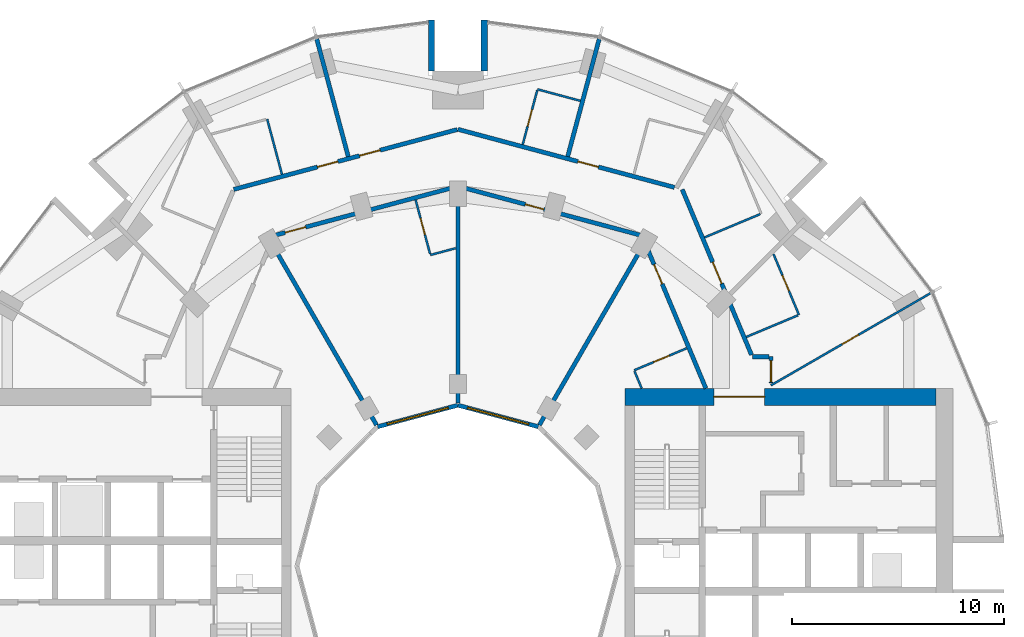
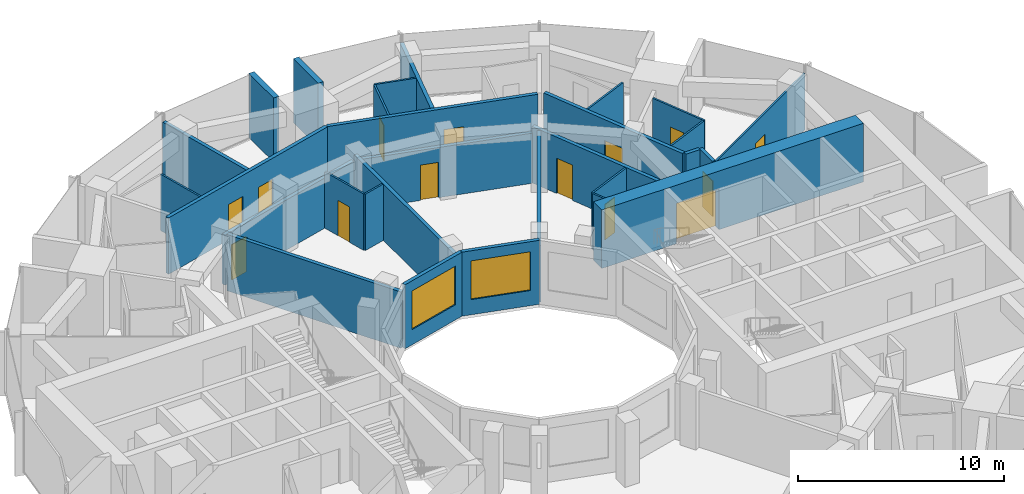
# One storey, part 12 of 15: 29 walls, 14 doors, 2 windows, 16 openings.
"""IFC4 building model written with IfcOpenShell, lengths in metres."""

import ifcopenshell
import ifcopenshell.guid

model = None  # the IFC model being written
_history = None  # IfcOwnerHistory: only IFC2X3 demands one
_inside = {}  # id of a spatial element -> (the spatial element, [elements in it])
_under = {}  # id of a project, library or spatial element -> (it, [spatial elements below it])
_declared = {}  # id of a project -> (the project, [libraries it declares])
_typed = {}  # id of a type object -> (the type object, [elements of that type])
_made_of = {}  # id of a material, layer set ... -> (it, [elements and type objects made of it])


def new_model(schema):
    """Start an empty IFC model of exactly this schema.

    Asked for "IFC4X3", IfcOpenShell would pick the latest addendum, in which some entities
    have other attributes; the version numbers below select the first issue.
    IFC2X3 requires an IfcOwnerHistory on every rooted entity: one is made here for all.
    """
    global model, _history
    if schema == "IFC4X3":
        model = ifcopenshell.file(schema_version=(4, 3, 0, 0))
    else:
        model = ifcopenshell.file(schema=schema)
    _inside.clear()
    _under.clear()
    _declared.clear()
    _typed.clear()
    _made_of.clear()
    _history = None
    if model.schema == "IFC2X3":
        org = make("IfcOrganization", Name="unknown")
        user = make(
            "IfcPersonAndOrganization",
            ThePerson=make("IfcPerson", FamilyName="unknown"),
            TheOrganization=org,
        )
        app = make(
            "IfcApplication",
            ApplicationDeveloper=org,
            Version="unknown",
            ApplicationFullName="unknown",
            ApplicationIdentifier="unknown",
        )
        _history = make(
            "IfcOwnerHistory",
            OwningUser=user,
            OwningApplication=app,
            ChangeAction="ADDED",
            CreationDate=0,
        )
    return model


def make(cls, **values):
    """One entity of the class cls with the attributes given. An attribute that is None is left unset."""
    return model.create_entity(
        cls, **{name: value for name, value in values.items() if value is not None}
    )


def rooted(cls, **values):
    """An entity with a GlobalId (a new one), such as an element, a storey or a relation."""
    return make(cls, GlobalId=ifcopenshell.guid.new(), OwnerHistory=_history, **values)


def si_unit(unit_type, name, prefix=None):
    """IfcSIUnit, for example si_unit("LENGTHUNIT", "METRE", prefix="MILLI")."""
    return make("IfcSIUnit", UnitType=unit_type, Prefix=prefix, Name=name)


def assignment(units):
    """IfcUnitAssignment: the units of a project."""
    return None if units is None else make("IfcUnitAssignment", Units=units)


def point(xyz):
    """IfcCartesianPoint."""
    return None if xyz is None else make("IfcCartesianPoint", Coordinates=xyz)


def direction(xyz):
    """IfcDirection."""
    return None if xyz is None else make("IfcDirection", DirectionRatios=xyz)


def frame(location, z_axis=None, x_axis=None):
    """IfcAxis2Placement3D, a coordinate frame: its origin and axes. An axis left out is left unset."""
    return make(
        "IfcAxis2Placement3D",
        Location=point(location),
        Axis=direction(z_axis),
        RefDirection=direction(x_axis),
    )


def frame_2d(location, x_axis=None):
    """IfcAxis2Placement2D, a coordinate frame in the plane: its origin and x axis."""
    return make(
        "IfcAxis2Placement2D", Location=point(location), RefDirection=direction(x_axis)
    )


def origin():
    """The frame at (0, 0, 0) with its axes left unset."""
    return frame((0.0, 0.0, 0.0))


def place(relative_to, where):
    """IfcLocalPlacement: puts the frame where relative to a parent placement (None: the world)."""
    return make(
        "IfcLocalPlacement", PlacementRelTo=relative_to, RelativePlacement=where
    )


def context(
    kind, dimensions, precision=None, world=None, true_north=None, identifier=None
):
    """IfcGeometricRepresentationContext, for example the 3D "Model" context."""
    return make(
        "IfcGeometricRepresentationContext",
        ContextIdentifier=identifier,
        ContextType=kind,
        CoordinateSpaceDimension=dimensions,
        Precision=precision,
        WorldCoordinateSystem=world,
        TrueNorth=true_north,
    )


def subcontext(parent, identifier, kind, view, scale=None):
    """IfcGeometricRepresentationSubContext, for example "Body" below "Model"."""
    return make(
        "IfcGeometricRepresentationSubContext",
        ContextIdentifier=identifier,
        ContextType=kind,
        ParentContext=parent,
        TargetScale=scale,
        TargetView=view,
    )


def project(units=None, contexts=None):
    """IfcProject with its units and contexts."""
    return rooted(
        "IfcProject",
        Name="project",
        RepresentationContexts=contexts,
        UnitsInContext=assignment(units),
    )


def spatial(cls, under=None, at=None, **own):
    """A site, building, storey or space (cls), placed at a placement, below another one or the project."""
    s = rooted(cls, ObjectPlacement=at, **own)
    if under is not None:
        _under.setdefault(under.id(), (under, []))[1].append(s)
    return s


def profile(cls, at=None, kind="AREA", **sizes):
    """A parametric profile (cls). Its sizes go by their IFC names, for example OverallWidth=200.0."""
    return make(cls, ProfileType=kind, Position=at, **sizes)


def rectangle(**sizes):
    """IfcRectangleProfileDef."""
    return profile("IfcRectangleProfileDef", **sizes)


def extrude(swept, where, along, depth):
    """IfcExtrudedAreaSolid: the profile swept, set in the frame where, extruded along a direction by depth."""
    return make(
        "IfcExtrudedAreaSolid",
        SweptArea=swept,
        Position=where,
        ExtrudedDirection=direction(along),
        Depth=depth,
    )


def shape(context_of_items, identifier, shape_type, items):
    """IfcShapeRepresentation: the items that make up one representation, for example the "Body"."""
    return make(
        "IfcShapeRepresentation",
        ContextOfItems=context_of_items,
        RepresentationIdentifier=identifier,
        RepresentationType=shape_type,
        Items=items,
    )


def material(Name=None, Category=None):
    """IfcMaterial."""
    return make("IfcMaterial", Name=Name, Category=Category)


def layer(
    of_material, thickness, ventilated=None, Name=None, Category=None, Priority=None
):
    """IfcMaterialLayer: one layer of a wall or slab, of a material (None: an air gap)."""
    return make(
        "IfcMaterialLayer",
        Material=of_material,
        LayerThickness=thickness,
        IsVentilated=ventilated,
        Name=Name,
        Category=Category,
        Priority=Priority,
    )


def layer_set(layers, Name=None):
    """IfcMaterialLayerSet."""
    return make("IfcMaterialLayerSet", MaterialLayers=layers, LayerSetName=Name)


def made_of(thing, what):
    """Note that an element or type object is made of a material, layer set ...; save() writes the relation."""
    if what is not None:
        _made_of.setdefault(what.id(), (what, []))[1].append(thing)
    return thing


def type_object(cls, material=None, **own):
    """A type object (cls), such as IfcWallType, which elements share."""
    return made_of(rooted(cls, **own), material)


def element(
    cls,
    number,
    at=None,
    inside=None,
    cuts=None,
    type_object=None,
    material=None,
    context=None,
    identifier="Body",
    shape_type=None,
    held_by="IfcProductDefinitionShape",
    body=None,
    shapes=None,
    **own,
):
    """One element of the class cls, such as IfcWall. Its Tag is "e" and its number.

    at: its placement. inside: the storey or other place that contains it. cuts: it is an
    opening in that element (IfcRelVoidsElement). A single representation is given by context,
    identifier, shape_type and body (its items); several are given by shapes. held_by: the class
    of the entity that holds the representations. save() writes the other relations.
    """
    e = rooted(cls, Tag="e%d" % number, ObjectPlacement=at, **own)
    if body is not None:
        shapes = [shape(context, identifier, shape_type, body)]
    if shapes is not None:
        e.Representation = make(held_by, Representations=shapes)
    if inside is not None:
        _inside.setdefault(inside.id(), (inside, []))[1].append(e)
    if cuts is not None:
        rooted(
            "IfcRelVoidsElement", RelatingBuildingElement=cuts, RelatedOpeningElement=e
        )
    if type_object is not None:
        _typed.setdefault(type_object.id(), (type_object, []))[1].append(e)
    return made_of(e, material)


def fill(opening, filler):
    """IfcRelFillsElement: the door or window that sits in an opening."""
    return rooted(
        "IfcRelFillsElement",
        RelatingOpeningElement=opening,
        RelatedBuildingElement=filler,
    )


def aggregate(whole, parts):
    """IfcRelAggregates: a whole, such as a stair, and the parts it consists of."""
    return rooted("IfcRelAggregates", RelatingObject=whole, RelatedObjects=parts)


def save(model, path):
    """Write the relations noted so far, then the file.

    IfcRelAggregates (storeys below a building ...), IfcRelContainedInSpatialStructure (elements
    in a storey), IfcRelDefinesByType, IfcRelAssociatesMaterial and IfcRelDeclares: one each for
    every whole, place, type object, material and project.
    """
    for whole, parts in _under.values():
        aggregate(whole, parts)
    for where, things in _inside.values():
        rooted(
            "IfcRelContainedInSpatialStructure",
            RelatedElements=things,
            RelatingStructure=where,
        )
    for kind, things in _typed.values():
        rooted("IfcRelDefinesByType", RelatedObjects=things, RelatingType=kind)
    for what, things in _made_of.values():
        rooted("IfcRelAssociatesMaterial", RelatedObjects=things, RelatingMaterial=what)
    for by, libraries in _declared.values():
        rooted("IfcRelDeclares", RelatingContext=by, RelatedDefinitions=libraries)
    model.write(path)


model = new_model("IFC4")

# Units and contexts
model_context = context("Model", 3, precision=1e-05, world=origin(), true_north=direction((0.0, 1.0)))
body_context = subcontext(model_context, "Body", "Model", "MODEL_VIEW")
ifc_project = project(units=[si_unit("LENGTHUNIT", "METRE"), si_unit("AREAUNIT", "SQUARE_METRE"), si_unit("VOLUMEUNIT", "CUBIC_METRE"), si_unit("PLANEANGLEUNIT", "RADIAN"), si_unit("MASSUNIT", "GRAM", prefix="KILO")], contexts=[model_context])

# Site, building, storey
site_placement = place(None, origin())
site = spatial("IfcSite", under=ifc_project, at=site_placement, CompositionType="ELEMENT")
building_placement = place(site_placement, origin())
building = spatial("IfcBuilding", under=site, at=building_placement, Name="Torre Brocal", CompositionType="ELEMENT")
storey_placement = place(building_placement, frame((0.0, 0.0, 90.0)))
storey = spatial("IfcBuildingStorey", under=building, at=storey_placement, Name="L20", CompositionType="ELEMENT", Elevation=90.0)

# Wall, opening, door
ifc_material_1 = material(Name="Concrete C80", Category="concrete")
ifc_layer_1 = layer(ifc_material_1, 0.800048828125)
ifc_layer_set_1 = layer_set([ifc_layer_1], Name="Concrete C80")
wall_type_1 = type_object("IfcWallType", Name="CORE WALL 800 C80", PredefinedType="SHEAR", material=ifc_layer_set_1)
wall_1_placement = place(storey_placement, frame((87.89990234375, 83.0, 0.0), z_axis=(0.0, 0.0, 1.0), x_axis=(1.0, 0.0, 0.0)))
wall_1 = element("IfcWall", 1, at=wall_1_placement, inside=storey, type_object=wall_type_1, Name="Wall CW800-80", PredefinedType="SHEAR", context=body_context, shape_type="SweptSolid", body=[
    extrude(rectangle(XDim=14.7001953125, YDim=0.800048828125, at=frame_2d((7.35009765625, 0.0))), origin(), (0.0, 0.0, 1.0), 3.47998046875),
])
opening_1_placement = place(wall_1_placement, frame((4.199951171875, 0.0, 0.0)))
opening_1 = element("IfcOpeningElement", 2, at=opening_1_placement, cuts=wall_1, Name="Opening E-D24", PredefinedType="OPENING", context=body_context, shape_type="SweptSolid", body=[
    extrude(rectangle(XDim=2.39990234375, YDim=2.39990234375, at=frame_2d((1.199951171875, 1.199951171875))), frame((0.0, 0.409912109375, 0.0), z_axis=(0.0, -1.0, 0.0), x_axis=(1.0, 0.0, 0.0)), (0.0, 0.0, 1.0), 0.820068359375),
])
ifc_material_2 = material(Name="Steel A653", Category="steel")
door_type_1 = type_object("IfcDoorType", Name="DOUBLE FIRE DOOR FD90 2400X2400", OperationType="DOUBLE_DOOR_SINGLE_SWING", PredefinedType="DOOR", material=ifc_material_2)
door_1_placement = place(opening_1_placement, frame((2.39990234375, 0.0, 0.0), z_axis=(0.0, 0.0, 1.0), x_axis=(-1.0, 0.0, 0.0)))
door_1 = element("IfcDoor", 3, at=door_1_placement, inside=storey, type_object=door_type_1, Name="Door E-D24", OperationType="DOUBLE_DOOR_SINGLE_SWING", OverallHeight=2.39990234375, OverallWidth=2.39990234375, PredefinedType="DOOR", context=body_context, shape_type="SweptSolid", body=[
    extrude(rectangle(XDim=2.39990234375, YDim=2.39990234375, at=frame_2d((1.199951171875, 1.199951171875))), frame((0.0, 0.02490234375, 0.0), z_axis=(0.0, -1.0, 0.0), x_axis=(1.0, 0.0, 0.0)), (0.0, 0.0, 1.0), 0.050048828125),
])
fill(opening_1, door_1)

# Walls
ifc_material_3 = material(Name="Concrete C80", Category="concrete")
ifc_layer_2 = layer(ifc_material_3, 0.300048828125)
ifc_layer_set_2 = layer_set([ifc_layer_2], Name="Concrete C80")
wall_type_2 = type_object("IfcWallType", Name="NOTCH RETURN WALL 300 C80", PredefinedType="NOTDEFINED", material=ifc_layer_set_2)
for number, where, z_axis, x_axis, name in (
    (4, (81.25, 98.39990234375, 0.0), (0.0, 0.0, 1.0), (0.0, 1.0, 0.0), "NOTCH RETURN WALL"),
    (5, (78.75, 98.39990234375, 0.0), (0.0, 0.0, 1.0), (0.0, 1.0, 0.0), "NOTCH RETURN WALL"),
):
    element("IfcWall", number, at=place(storey_placement, frame(where, z_axis=z_axis, x_axis=x_axis)), inside=storey, type_object=wall_type_2, Name=name, PredefinedType="NOTDEFINED", context=body_context, shape_type="SweptSolid", body=[
        extrude(rectangle(XDim=2.415771484375, YDim=0.300048828125, at=frame_2d((1.2080078125, 0.0))), origin(), (0.0, 0.0, 1.0), 3.800048828125),
    ])
ifc_material_4 = material(Name="Gypsum board", Category="Gypsum")
ifc_layer_3 = layer(ifc_material_4, 0.10009765625)
ifc_layer_set_3 = layer_set([ifc_layer_3], Name="Gypsum board")
wall_type_3 = type_object("IfcWallType", Name="PARTITION 100", PredefinedType="PARTITIONING", material=ifc_layer_set_3)
wall_2_placement = place(storey_placement, frame((70.98095703125, 96.1279296875, 0.0), z_axis=(0.0, 0.0, 1.0), x_axis=(0.25867580527, -0.965964195904, 0.0)))
element("IfcWall", 6, at=wall_2_placement, inside=storey, type_object=wall_type_3, Name="BATHROOM WALL", PredefinedType="PARTITIONING", context=body_context, shape_type="SweptSolid", body=[
    extrude(rectangle(XDim=2.69921875, YDim=0.10009765625, at=frame_2d((1.349609375, 0.0))), origin(), (0.0, 0.0, 1.0), 3.35009765625),
])

# Wall, opening, door
wall_3_placement = place(storey_placement, frame((77.997802734375, 92.314208984375, 0.0), z_axis=(0.0, 0.0, 1.0), x_axis=(0.258608674509, -0.965982170368, 0.0)))
wall_3 = element("IfcWall", 7, at=wall_3_placement, inside=storey, type_object=wall_type_3, Name="BATHROOM WALL", PredefinedType="PARTITIONING", context=body_context, shape_type="SweptSolid", body=[
    extrude(rectangle(XDim=2.64990234375, YDim=0.10009765625, at=frame_2d((1.324951171875, 0.0))), origin(), (0.0, 0.0, 1.0), 3.35009765625),
])
opening_2_placement = place(wall_3_placement, frame((0.89990234375, 0.0, 0.0)))
opening_2 = element("IfcOpeningElement", 8, at=opening_2_placement, cuts=wall_3, Name="Opening H05-D21", PredefinedType="OPENING", context=body_context, shape_type="SweptSolid", body=[
    extrude(rectangle(XDim=0.800048828125, YDim=2.10009765625, at=frame_2d((0.39990234375, 1.050048828125))), frame((0.0, 0.06005859375, 0.0), z_axis=(0.0, -1.0, 0.0), x_axis=(1.0, 0.0, 0.0)), (0.0, 0.0, 1.0), 0.1201171875),
])
ifc_material_5 = material(Name="Timber", Category="wood")
door_type_2 = type_object("IfcDoorType", Name="BATHROOM DOOR 800X2100", OperationType="SINGLE_SWING_LEFT", PredefinedType="DOOR", material=ifc_material_5)
door_2_placement = place(opening_2_placement, origin())
door_2 = element("IfcDoor", 9, at=door_2_placement, inside=storey, type_object=door_type_2, Name="H05-D21", OperationType="SINGLE_SWING_LEFT", OverallHeight=2.10009765625, OverallWidth=0.800048828125, PredefinedType="DOOR", context=body_context, shape_type="SweptSolid", body=[
    extrude(rectangle(XDim=0.800048828125, YDim=2.10009765625, at=frame_2d((0.39990234375, 1.050048828125))), frame((0.0, 0.02490234375, 0.0), z_axis=(0.0, -1.0, 0.0), x_axis=(1.0, 0.0, 0.0)), (0.0, 0.0, 1.0), 0.050048828125),
])
fill(opening_2, door_2)

# Wall
wall_4_placement = place(storey_placement, frame((78.696044921875, 89.7060546875, 0.0), z_axis=(0.0, 0.0, 1.0), x_axis=(0.966002513606, 0.258532674351, 0.0)))
element("IfcWall", 10, at=wall_4_placement, inside=storey, type_object=wall_type_3, Name="BATHROOM WALL", PredefinedType="PARTITIONING", context=body_context, shape_type="SweptSolid", body=[
    extrude(rectangle(XDim=1.239990234375, YDim=0.10009765625, at=frame_2d((0.6201171875, 0.0))), origin(), (0.0, 0.0, 1.0), 3.35009765625),
])

# Wall, opening, door
wall_5_placement = place(storey_placement, frame((83.06201171875, 94.92919921875, 0.0), z_axis=(0.0, 0.0, 1.0), x_axis=(0.258889588814, 0.965906921398, 0.0)))
wall_5 = element("IfcWall", 11, at=wall_5_placement, inside=storey, type_object=wall_type_3, Name="BATHROOM WALL", PredefinedType="PARTITIONING", context=body_context, shape_type="SweptSolid", body=[
    extrude(rectangle(XDim=2.64990234375, YDim=0.10009765625, at=frame_2d((1.324951171875, 0.0))), origin(), (0.0, 0.0, 1.0), 3.35009765625),
])
opening_3_placement = place(wall_5_placement, frame((0.899658203125, 0.0, 0.0)))
opening_3 = element("IfcOpeningElement", 12, at=opening_3_placement, cuts=wall_5, Name="Opening H05-D09", PredefinedType="OPENING", context=body_context, shape_type="SweptSolid", body=[
    extrude(rectangle(XDim=0.800048828125, YDim=2.10009765625, at=frame_2d((0.39990234375, 1.050048828125))), frame((0.0, 0.06005859375, 0.0), z_axis=(0.0, -1.0, 0.0), x_axis=(1.0, 0.0, 0.0)), (0.0, 0.0, 1.0), 0.1201171875),
])
door_3_placement = place(opening_3_placement, frame((0.800048828125, 0.0, 0.0), z_axis=(0.0, 0.0, 1.0), x_axis=(-1.0, 0.0, 0.0)))
door_3 = element("IfcDoor", 13, at=door_3_placement, inside=storey, type_object=door_type_2, Name="H05-D09", OperationType="SINGLE_SWING_RIGHT", OverallHeight=2.10009765625, OverallWidth=0.800048828125, PredefinedType="DOOR", context=body_context, shape_type="SweptSolid", body=[
    extrude(rectangle(XDim=0.800048828125, YDim=2.10009765625, at=frame_2d((0.39990234375, 1.050048828125))), frame((0.0, 0.02490234375, 0.0), z_axis=(0.0, -1.0, 0.0), x_axis=(1.0, 0.0, 0.0)), (0.0, 0.0, 1.0), 0.050048828125),
])
fill(opening_3, door_3)

# Walls
wall_6_placement = place(storey_placement, frame((83.76123046875, 97.53759765625, 0.0), z_axis=(0.0, 0.0, 1.0), x_axis=(0.965871218513, -0.259022758166, 0.0)))
element("IfcWall", 14, at=wall_6_placement, inside=storey, type_object=wall_type_3, Name="BATHROOM WALL", PredefinedType="PARTITIONING", context=body_context, shape_type="SweptSolid", body=[
    extrude(rectangle(XDim=2.10009765625, YDim=0.10009765625, at=frame_2d((1.050048828125, 0.0))), origin(), (0.0, 0.0, 1.0), 3.35009765625),
])
wall_7_placement = place(storey_placement, frame((88.348388671875, 84.208984375, 0.0), z_axis=(0.0, 0.0, 1.0), x_axis=(0.386077497504, -0.922466349479, 0.0)))
element("IfcWall", 15, at=wall_7_placement, inside=storey, type_object=wall_type_3, Name="BATHROOM WALL", PredefinedType="PARTITIONING", context=body_context, shape_type="SweptSolid", body=[
    extrude(rectangle(XDim=0.877197265625, YDim=0.10009765625, at=frame_2d((0.4384765625, 0.0))), origin(), (0.0, 0.0, 1.0), 3.35009765625),
])

# Wall, opening, door
wall_8_placement = place(storey_placement, frame((88.3291015625, 84.2548828125, 0.0), z_axis=(0.0, 0.0, 1.0), x_axis=(0.922320663728, 0.386425404522, 0.0)))
wall_8 = element("IfcWall", 16, at=wall_8_placement, inside=storey, type_object=wall_type_3, Name="BATHROOM WALL", PredefinedType="PARTITIONING", context=body_context, shape_type="SweptSolid", body=[
    extrude(rectangle(XDim=2.690185546875, YDim=0.10009765625, at=frame_2d((1.34521484375, 0.0))), origin(), (0.0, 0.0, 1.0), 3.35009765625),
])
opening_4_placement = place(wall_8_placement, frame((1.000244140625, 0.0, 0.0)))
opening_4 = element("IfcOpeningElement", 17, at=opening_4_placement, cuts=wall_8, Name="Opening H05-D18", PredefinedType="OPENING", context=body_context, shape_type="SweptSolid", body=[
    extrude(rectangle(XDim=0.800048828125, YDim=2.10009765625, at=frame_2d((0.39990234375, 1.050048828125))), frame((0.0, 0.06005859375, 0.0), z_axis=(0.0, -1.0, 0.0), x_axis=(1.0, 0.0, 0.0)), (0.0, 0.0, 1.0), 0.1201171875),
])
door_4_placement = place(opening_4_placement, frame((0.800048828125, 0.0, 0.0), z_axis=(0.0, 0.0, 1.0), x_axis=(-1.0, 0.0, 0.0)))
door_4 = element("IfcDoor", 18, at=door_4_placement, inside=storey, type_object=door_type_2, Name="H05-D18", OperationType="SINGLE_SWING_LEFT", OverallHeight=2.10009765625, OverallWidth=0.800048828125, PredefinedType="DOOR", context=body_context, shape_type="SweptSolid", body=[
    extrude(rectangle(XDim=0.800048828125, YDim=2.10009765625, at=frame_2d((0.39990234375, 1.050048828125))), frame((0.0, 0.02490234375, 0.0), z_axis=(0.0, -1.0, 0.0), x_axis=(1.0, 0.0, 0.0)), (0.0, 0.0, 1.0), 0.050048828125),
])
fill(opening_4, door_4)

# Walls
wall_9_placement = place(storey_placement, frame((91.6611328125, 90.53759765625, 0.0), z_axis=(0.0, 0.0, 1.0), x_axis=(0.922352973625, 0.386348278169, 0.0)))
element("IfcWall", 19, at=wall_9_placement, inside=storey, type_object=wall_type_3, Name="BATHROOM WALL", PredefinedType="PARTITIONING", context=body_context, shape_type="SweptSolid", body=[
    extrude(rectangle(XDim=2.849853515625, YDim=0.10009765625, at=frame_2d((1.4248046875, 0.0))), origin(), (0.0, 0.0, 1.0), 3.35009765625),
])
wall_10_placement = place(storey_placement, frame((93.632568359375, 85.830810546875, 0.0), z_axis=(0.0, 0.0, 1.0), x_axis=(0.922344808264, 0.38636777126, 0.0)))
element("IfcWall", 20, at=wall_10_placement, inside=storey, type_object=wall_type_3, Name="BATHROOM WALL", PredefinedType="PARTITIONING", context=body_context, shape_type="SweptSolid", body=[
    extrude(rectangle(XDim=2.650146484375, YDim=0.10009765625, at=frame_2d((1.3251953125, 0.0))), origin(), (0.0, 0.0, 1.0), 3.35009765625),
])

# Wall, opening, door
wall_11_placement = place(storey_placement, frame((94.800048828125, 83.544921875, 0.0), z_axis=(0.0, 0.0, 1.0), x_axis=(0.86602264145, 0.500004784474, 0.0)))
wall_11 = element("IfcWall", 21, at=wall_11_placement, inside=storey, type_object=wall_type_3, Name="ROOM PARTITION", PredefinedType="PARTITIONING", context=body_context, shape_type="SweptSolid", body=[
    extrude(rectangle(XDim=8.7080078125, YDim=0.10009765625, at=frame_2d((4.35400390625, 0.0))), origin(), (0.0, 0.0, 1.0), 3.35009765625),
])
opening_5_placement = place(wall_11_placement, frame((3.87890625, 0.0, 0.0)))
opening_5 = element("IfcOpeningElement", 22, at=opening_5_placement, cuts=wall_11, Name="Opening H05-D03", PredefinedType="OPENING", context=body_context, shape_type="SweptSolid", body=[
    extrude(rectangle(XDim=0.89990234375, YDim=2.10009765625, at=frame_2d((0.449951171875, 1.050048828125))), frame((0.0, 0.06005859375, 0.0), z_axis=(0.0, -1.0, 0.0), x_axis=(1.0, 0.0, 0.0)), (0.0, 0.0, 1.0), 0.1201171875),
])
ifc_material_6 = material(Name="Timber", Category="wood")
door_type_3 = type_object("IfcDoorType", Name="ROOM DOOR 900X2100", OperationType="SINGLE_SWING_LEFT", PredefinedType="DOOR", material=ifc_material_6)
door_5_placement = place(opening_5_placement, frame((0.89990234375, 0.0, 0.0), z_axis=(0.0, 0.0, 1.0), x_axis=(-1.0, 0.0, 0.0)))
door_5 = element("IfcDoor", 23, at=door_5_placement, inside=storey, type_object=door_type_3, Name="H05-D03", OperationType="SINGLE_SWING_RIGHT", OverallHeight=2.10009765625, OverallWidth=0.89990234375, PredefinedType="DOOR", context=body_context, shape_type="SweptSolid", body=[
    extrude(rectangle(XDim=0.89990234375, YDim=2.10009765625, at=frame_2d((0.449951171875, 1.050048828125))), frame((0.0, 0.02490234375, 0.0), z_axis=(0.0, -1.0, 0.0), x_axis=(1.0, 0.0, 0.0)), (0.0, 0.0, 1.0), 0.050048828125),
])
fill(opening_5, door_5)

wall_12_placement = place(storey_placement, frame((94.919189453125, 89.748046875, 0.0), z_axis=(0.0, 0.0, 1.0), x_axis=(0.38635048828, -0.922352047868, 0.0)))
wall_12 = element("IfcWall", 24, at=wall_12_placement, inside=storey, type_object=wall_type_3, Name="BATHROOM WALL", PredefinedType="PARTITIONING", context=body_context, shape_type="SweptSolid", body=[
    extrude(rectangle(XDim=3.115966796875, YDim=0.10009765625, at=frame_2d((1.55810546875, 0.0))), origin(), (0.0, 0.0, 1.0), 3.35009765625),
])
opening_6_placement = place(wall_12_placement, frame((1.093017578125, 0.0, 0.0)))
opening_6 = element("IfcOpeningElement", 25, at=opening_6_placement, cuts=wall_12, Name="Opening H05-D02", PredefinedType="OPENING", context=body_context, shape_type="SweptSolid", body=[
    extrude(rectangle(XDim=0.800048828125, YDim=2.10009765625, at=frame_2d((0.39990234375, 1.050048828125))), frame((0.0, 0.06005859375, 0.0), z_axis=(0.0, -1.0, 0.0), x_axis=(1.0, 0.0, 0.0)), (0.0, 0.0, 1.0), 0.1201171875),
])
door_6_placement = place(opening_6_placement, frame((0.800048828125, 0.0, 0.0), z_axis=(0.0, 0.0, 1.0), x_axis=(-1.0, 0.0, 0.0)))
door_6 = element("IfcDoor", 26, at=door_6_placement, inside=storey, type_object=door_type_2, Name="H05-D02", OperationType="SINGLE_SWING_RIGHT", OverallHeight=2.10009765625, OverallWidth=0.800048828125, PredefinedType="DOOR", context=body_context, shape_type="SweptSolid", body=[
    extrude(rectangle(XDim=0.800048828125, YDim=2.10009765625, at=frame_2d((0.39990234375, 1.050048828125))), frame((0.0, 0.02490234375, 0.0), z_axis=(0.0, -1.0, 0.0), x_axis=(1.0, 0.0, 0.0)), (0.0, 0.0, 1.0), 0.050048828125),
])
fill(opening_6, door_6)

# Wall, openings, doors
ifc_material_7 = material(Name="Gypsum board", Category="Gypsum")
ifc_layer_4 = layer(ifc_material_7, 0.199951171875)
ifc_layer_set_4 = layer_set([ifc_layer_4], Name="Gypsum board")
wall_type_4 = type_object("IfcWallType", Name="PARTITION 200 EI60", PredefinedType="PARTITIONING", material=ifc_layer_set_4)
wall_13_placement = place(storey_placement, frame((69.39697265625, 92.805419921875, 0.0), z_axis=(0.0, 0.0, 1.0), x_axis=(0.96596468683, 0.258673972015, 0.0)))
wall_13 = element("IfcWall", 27, at=wall_13_placement, inside=storey, type_object=wall_type_4, Name="GUESTROOM CORRIDOR WALL", PredefinedType="PARTITIONING", context=body_context, shape_type="SweptSolid", body=[
    extrude(rectangle(XDim=10.93701171875, YDim=0.199951171875, at=frame_2d((5.468505859375, 0.0))), origin(), (0.0, 0.0, 1.0), 3.35009765625),
])
opening_7_placement = place(wall_13_placement, frame((6.163330078125, 0.0, 0.0)))
opening_7 = element("IfcOpeningElement", 28, at=opening_7_placement, cuts=wall_13, Name="Opening H05-D08", PredefinedType="OPENING", context=body_context, shape_type="SweptSolid", body=[
    extrude(rectangle(XDim=1.0, YDim=2.10009765625, at=frame_2d((0.5, 1.050048828125))), frame((0.0, 0.10986328125, 0.0), z_axis=(0.0, -1.0, 0.0), x_axis=(1.0, 0.0, 0.0)), (0.0, 0.0, 1.0), 0.219970703125),
])
opening_8_placement = place(wall_13_placement, frame((4.1025390625, 0.0, 0.0)))
opening_8 = element("IfcOpeningElement", 29, at=opening_8_placement, cuts=wall_13, Name="Opening H05-D10", PredefinedType="OPENING", context=body_context, shape_type="SweptSolid", body=[
    extrude(rectangle(XDim=1.0, YDim=2.10009765625, at=frame_2d((0.5, 1.050048828125))), frame((0.0, 0.10986328125, 0.0), z_axis=(0.0, -1.0, 0.0), x_axis=(1.0, 0.0, 0.0)), (0.0, 0.0, 1.0), 0.219970703125),
])
ifc_material_8 = material(Name="Timber", Category="wood")
door_type_4 = type_object("IfcDoorType", Name="FLAT ENTRY DOOR FD30S 1000X2100", OperationType="SINGLE_SWING_RIGHT", PredefinedType="DOOR", material=ifc_material_8)
door_7_placement = place(opening_7_placement, origin())
door_7 = element("IfcDoor", 30, at=door_7_placement, inside=storey, type_object=door_type_4, Name="H05-D08", OperationType="SINGLE_SWING_LEFT", OverallHeight=2.10009765625, OverallWidth=1.0, PredefinedType="DOOR", context=body_context, shape_type="SweptSolid", body=[
    extrude(rectangle(XDim=1.0, YDim=2.10009765625, at=frame_2d((0.5, 1.050048828125))), frame((0.0, 0.02490234375, 0.0), z_axis=(0.0, -1.0, 0.0), x_axis=(1.0, 0.0, 0.0)), (0.0, 0.0, 1.0), 0.050048828125),
])
fill(opening_7, door_7)
door_8_placement = place(opening_8_placement, origin())
door_8 = element("IfcDoor", 31, at=door_8_placement, inside=storey, type_object=door_type_4, Name="H05-D10", OperationType="SINGLE_SWING_RIGHT", OverallHeight=2.10009765625, OverallWidth=1.0, PredefinedType="DOOR", context=body_context, shape_type="SweptSolid", body=[
    extrude(rectangle(XDim=1.0, YDim=2.10009765625, at=frame_2d((0.5, 1.050048828125))), frame((0.0, 0.02490234375, 0.0), z_axis=(0.0, -1.0, 0.0), x_axis=(1.0, 0.0, 0.0)), (0.0, 0.0, 1.0), 0.050048828125),
])
fill(opening_8, door_8)

# Walls
wall_14_placement = place(storey_placement, frame((71.263671875, 90.135498046875, 0.0), z_axis=(0.0, 0.0, 1.0), x_axis=(0.499791624077, -0.866145676259, 0.0)))
element("IfcWall", 32, at=wall_14_placement, inside=storey, type_object=wall_type_4, Name="PARTY PARTITION", PredefinedType="PARTITIONING", context=body_context, shape_type="SweptSolid", body=[
    extrude(rectangle(XDim=9.777587890625, YDim=0.199951171875, at=frame_2d((4.888671875, 0.0))), origin(), (0.0, 0.0, 1.0), 3.35009765625),
])
wall_15_placement = place(storey_placement, frame((73.324951171875, 99.918701171875, 0.0), z_axis=(0.0, 0.0, 1.0), x_axis=(0.25871346471, -0.965954110286, 0.0)))
element("IfcWall", 33, at=wall_15_placement, inside=storey, type_object=wall_type_4, Name="PARTY PARTITION", PredefinedType="PARTITIONING", context=body_context, shape_type="SweptSolid", body=[
    extrude(rectangle(XDim=5.75439453125, YDim=0.199951171875, at=frame_2d((2.877197265625, 0.0))), origin(), (0.0, 0.0, 1.0), 3.35009765625),
])
wall_16_placement = place(storey_placement, frame((80.0, 82.698974609375, 0.0), z_axis=(0.0, 0.0, 1.0), x_axis=(0.0, 1.0, 0.0)))
element("IfcWall", 34, at=wall_16_placement, inside=storey, type_object=wall_type_4, Name="BATHROOM WALL", PredefinedType="PARTITIONING", context=body_context, shape_type="SweptSolid", body=[
    extrude(rectangle(XDim=10.125, YDim=0.199951171875, at=frame_2d((5.0625, 0.0))), origin(), (0.0, 0.0, 1.0), 3.35009765625),
])

# Wall, opening, door
wall_17_placement = place(storey_placement, frame((80.00048828125, 95.647705078125, 0.0), z_axis=(0.0, 0.0, 1.0), x_axis=(0.965852259202, -0.259093445292, 0.0)))
wall_17 = element("IfcWall", 35, at=wall_17_placement, inside=storey, type_object=wall_type_4, Name="GUESTROOM CORRIDOR WALL", PredefinedType="PARTITIONING", context=body_context, shape_type="SweptSolid", body=[
    extrude(rectangle(XDim=10.596923828125, YDim=0.199951171875, at=frame_2d((5.29833984375, 0.0))), origin(), (0.0, 0.0, 1.0), 3.35009765625),
])
opening_9_placement = place(wall_17_placement, frame((5.87451171875, 0.0, 0.0)))
opening_9 = element("IfcOpeningElement", 36, at=opening_9_placement, cuts=wall_17, Name="Opening H05-D06", PredefinedType="OPENING", context=body_context, shape_type="SweptSolid", body=[
    extrude(rectangle(XDim=1.0, YDim=2.10009765625, at=frame_2d((0.5, 1.050048828125))), frame((0.0, 0.10986328125, 0.0), z_axis=(0.0, -1.0, 0.0), x_axis=(1.0, 0.0, 0.0)), (0.0, 0.0, 1.0), 0.219970703125),
])
door_9_placement = place(opening_9_placement, origin())
door_9 = element("IfcDoor", 37, at=door_9_placement, inside=storey, type_object=door_type_4, Name="H05-D06", OperationType="SINGLE_SWING_LEFT", OverallHeight=2.10009765625, OverallWidth=1.0, PredefinedType="DOOR", context=body_context, shape_type="SweptSolid", body=[
    extrude(rectangle(XDim=1.0, YDim=2.10009765625, at=frame_2d((0.5, 1.050048828125))), frame((0.0, 0.02490234375, 0.0), z_axis=(0.0, -1.0, 0.0), x_axis=(1.0, 0.0, 0.0)), (0.0, 0.0, 1.0), 0.050048828125),
])
fill(opening_9, door_9)

# Walls
wall_18_placement = place(storey_placement, frame((83.849853515625, 81.66650390625, 0.0), z_axis=(0.0, 0.0, 1.0), x_axis=(0.500222212082, 0.865897071562, 0.0)))
element("IfcWall", 38, at=wall_18_placement, inside=storey, type_object=wall_type_4, Name="SERVICE ROOM WALL", PredefinedType="PARTITIONING", context=body_context, shape_type="SweptSolid", body=[
    extrude(rectangle(XDim=9.767578125, YDim=0.199951171875, at=frame_2d((4.8837890625, 0.0))), origin(), (0.0, 0.0, 1.0), 3.35009765625),
])
wall_19_placement = place(storey_placement, frame((85.188232421875, 94.359619140625, 0.0), z_axis=(0.0, 0.0, 1.0), x_axis=(0.258882407816, 0.965908846074, 0.0)))
element("IfcWall", 39, at=wall_19_placement, inside=storey, type_object=wall_type_4, Name="BATHROOM WALL", PredefinedType="PARTITIONING", context=body_context, shape_type="SweptSolid", body=[
    extrude(rectangle(XDim=5.754638671875, YDim=0.199951171875, at=frame_2d((2.87744140625, 0.0))), origin(), (0.0, 0.0, 1.0), 3.35009765625),
])

# Wall, opening, door
wall_20_placement = place(storey_placement, frame((88.69775390625, 90.624267578125, 0.0), z_axis=(0.0, 0.0, 1.0), x_axis=(0.386027055918, -0.922487459047, 0.0)))
wall_20 = element("IfcWall", 40, at=wall_20_placement, inside=storey, type_object=wall_type_4, Name="GUESTROOM CORRIDOR WALL", PredefinedType="PARTITIONING", context=body_context, shape_type="SweptSolid", body=[
    extrude(rectangle(XDim=7.832275390625, YDim=0.199951171875, at=frame_2d((3.916015625, 0.0))), origin(), (0.0, 0.0, 1.0), 3.35009765625),
])
opening_10_placement = place(wall_20_placement, frame((1.481689453125, 0.0, 0.0)))
opening_10 = element("IfcOpeningElement", 41, at=opening_10_placement, cuts=wall_20, Name="Opening H05-D17", PredefinedType="OPENING", context=body_context, shape_type="SweptSolid", body=[
    extrude(rectangle(XDim=1.0, YDim=2.10009765625, at=frame_2d((0.5, 1.050048828125))), frame((0.0, 0.10986328125, 0.0), z_axis=(0.0, -1.0, 0.0), x_axis=(1.0, 0.0, 0.0)), (0.0, 0.0, 1.0), 0.219970703125),
])
door_10_placement = place(opening_10_placement, frame((1.0, 0.0, 0.0), z_axis=(0.0, 0.0, 1.0), x_axis=(-1.0, 0.0, 0.0)))
door_10 = element("IfcDoor", 42, at=door_10_placement, inside=storey, type_object=door_type_4, Name="H05-D17", OperationType="SINGLE_SWING_RIGHT", OverallHeight=2.10009765625, OverallWidth=1.0, PredefinedType="DOOR", context=body_context, shape_type="SweptSolid", body=[
    extrude(rectangle(XDim=1.0, YDim=2.10009765625, at=frame_2d((0.5, 1.050048828125))), frame((0.0, 0.02490234375, 0.0), z_axis=(0.0, -1.0, 0.0), x_axis=(1.0, 0.0, 0.0)), (0.0, 0.0, 1.0), 0.050048828125),
])
fill(opening_10, door_10)

wall_21_placement = place(storey_placement, frame((90.603515625, 92.80517578125, 0.0), z_axis=(0.0, 0.0, 1.0), x_axis=(0.386209298583, -0.922411176042, 0.0)))
wall_21 = element("IfcWall", 43, at=wall_21_placement, inside=storey, type_object=wall_type_4, Name="GUESTROOM CORRIDOR WALL", PredefinedType="PARTITIONING", context=body_context, shape_type="SweptSolid", body=[
    extrude(rectangle(XDim=8.480224609375, YDim=0.199951171875, at=frame_2d((4.240234375, 0.0))), origin(), (0.0, 0.0, 1.0), 3.35009765625),
])
opening_11_placement = place(wall_21_placement, frame((3.722900390625, 0.0, 0.0)))
opening_11 = element("IfcOpeningElement", 44, at=opening_11_placement, cuts=wall_21, Name="Opening H05-D04", PredefinedType="OPENING", context=body_context, shape_type="SweptSolid", body=[
    extrude(rectangle(XDim=1.10009765625, YDim=2.10009765625, at=frame_2d((0.550048828125, 1.050048828125))), frame((0.0, 0.10986328125, 0.0), z_axis=(0.0, -1.0, 0.0), x_axis=(1.0, 0.0, 0.0)), (0.0, 0.0, 1.0), 0.219970703125),
])
ifc_material_9 = material(Name="Timber", Category="wood")
door_type_5 = type_object("IfcDoorType", Name="ACCESSIBLE ENTRY DOOR FD30S 1100X2100", OperationType="SINGLE_SWING_RIGHT", PredefinedType="DOOR", material=ifc_material_9)
door_11_placement = place(opening_11_placement, origin())
door_11 = element("IfcDoor", 45, at=door_11_placement, inside=storey, type_object=door_type_5, Name="H05-D04", OperationType="SINGLE_SWING_RIGHT", OverallHeight=2.10009765625, OverallWidth=1.10009765625, PredefinedType="DOOR", context=body_context, shape_type="SweptSolid", body=[
    extrude(rectangle(XDim=1.10009765625, YDim=2.10009765625, at=frame_2d((0.550048828125, 1.050048828125))), frame((0.0, 0.02490234375, 0.0), z_axis=(0.0, -1.0, 0.0), x_axis=(1.0, 0.0, 0.0)), (0.0, 0.0, 1.0), 0.050048828125),
])
fill(opening_11, door_11)

# Wall
wall_22_placement = place(storey_placement, frame((93.9140625, 84.89990234375, 0.0), z_axis=(0.0, 0.0, 1.0), x_axis=(1.0, 0.0, 0.0)))
element("IfcWall", 46, at=wall_22_placement, inside=storey, type_object=wall_type_4, Name="GUESTROOM CORRIDOR WALL", PredefinedType="PARTITIONING", context=body_context, shape_type="SweptSolid", body=[
    extrude(rectangle(XDim=0.785888671875, YDim=0.199951171875, at=frame_2d((0.39306640625, 0.0))), origin(), (0.0, 0.0, 1.0), 3.35009765625),
])

# Wall, opening, door
wall_23_placement = place(storey_placement, frame((94.800048828125, 83.64990234375, 0.0), z_axis=(0.0, 0.0, 1.0), x_axis=(0.0, 1.0, 0.0)))
wall_23 = element("IfcWall", 47, at=wall_23_placement, inside=storey, type_object=wall_type_4, Name="GUESTROOM CORRIDOR WALL", PredefinedType="PARTITIONING", context=body_context, shape_type="SweptSolid", body=[
    extrude(rectangle(XDim=1.25, YDim=0.199951171875, at=frame_2d((0.625, 0.0))), origin(), (0.0, 0.0, 1.0), 3.35009765625),
])
opening_12_placement = place(wall_23_placement, frame((0.0625, 0.0, 0.0)))
opening_12 = element("IfcOpeningElement", 48, at=opening_12_placement, cuts=wall_23, Name="Opening H05-D01", PredefinedType="OPENING", context=body_context, shape_type="SweptSolid", body=[
    extrude(rectangle(XDim=1.0, YDim=2.10009765625, at=frame_2d((0.5, 1.050048828125))), frame((0.0, 0.10986328125, 0.0), z_axis=(0.0, -1.0, 0.0), x_axis=(1.0, 0.0, 0.0)), (0.0, 0.0, 1.0), 0.219970703125),
])
door_12_placement = place(opening_12_placement, frame((1.0, 0.0, 0.0), z_axis=(0.0, 0.0, 1.0), x_axis=(-1.0, 0.0, 0.0)))
door_12 = element("IfcDoor", 49, at=door_12_placement, inside=storey, type_object=door_type_4, Name="H05-D01", OperationType="SINGLE_SWING_LEFT", OverallHeight=2.10009765625, OverallWidth=1.0, PredefinedType="DOOR", context=body_context, shape_type="SweptSolid", body=[
    extrude(rectangle(XDim=1.0, YDim=2.10009765625, at=frame_2d((0.5, 1.050048828125))), frame((0.0, 0.02490234375, 0.0), z_axis=(0.0, -1.0, 0.0), x_axis=(1.0, 0.0, 0.0)), (0.0, 0.0, 1.0), 0.050048828125),
])
fill(opening_12, door_12)

ifc_material_10 = material(Name="Gypsum board", Category="Gypsum")
ifc_layer_5 = layer(ifc_material_10, 0.199951171875)
ifc_layer_set_5 = layer_set([ifc_layer_5], Name="Gypsum board")
wall_type_5 = type_object("IfcWallType", Name="PARTITION 200 EI60 UNDER BEAM 820", PredefinedType="PARTITIONING", material=ifc_layer_set_5)
wall_24_placement = place(storey_placement, frame((71.302734375, 90.62451171875, 0.0), z_axis=(0.0, 0.0, 1.0), x_axis=(0.965971868307, 0.258647152776, 0.0)))
wall_24 = element("IfcWall", 50, at=wall_24_placement, inside=storey, type_object=wall_type_5, Name="GUESTROOM CORRIDOR WALL", PredefinedType="PARTITIONING", context=body_context, shape_type="SweptSolid", body=[
    extrude(rectangle(XDim=8.873779296875, YDim=0.199951171875, at=frame_2d((4.43701171875, 0.0))), origin(), (0.0, 0.0, 1.0), 2.97998046875),
])
opening_13_placement = place(wall_24_placement, frame((0.550048828125, 0.0, 0.0)))
opening_13 = element("IfcOpeningElement", 51, at=opening_13_placement, cuts=wall_24, Name="Opening H05-D20", PredefinedType="OPENING", context=body_context, shape_type="SweptSolid", body=[
    extrude(rectangle(XDim=1.0, YDim=2.10009765625, at=frame_2d((0.5, 1.050048828125))), frame((0.0, 0.10986328125, 0.0), z_axis=(0.0, -1.0, 0.0), x_axis=(1.0, 0.0, 0.0)), (0.0, 0.0, 1.0), 0.219970703125),
])
door_13_placement = place(opening_13_placement, frame((1.0, 0.0, 0.0), z_axis=(0.0, 0.0, 1.0), x_axis=(-1.0, 0.0, 0.0)))
door_13 = element("IfcDoor", 52, at=door_13_placement, inside=storey, type_object=door_type_4, Name="H05-D20", OperationType="SINGLE_SWING_RIGHT", OverallHeight=2.10009765625, OverallWidth=1.0, PredefinedType="DOOR", context=body_context, shape_type="SweptSolid", body=[
    extrude(rectangle(XDim=1.0, YDim=2.10009765625, at=frame_2d((0.5, 1.050048828125))), frame((0.0, 0.02490234375, 0.0), z_axis=(0.0, -1.0, 0.0), x_axis=(1.0, 0.0, 0.0)), (0.0, 0.0, 1.0), 0.050048828125),
])
fill(opening_13, door_13)

wall_25_placement = place(storey_placement, frame((80.0, 92.9541015625, 0.0), z_axis=(0.0, 0.0, 1.0), x_axis=(0.965932194462, -0.258795277586, 0.0)))
wall_25 = element("IfcWall", 53, at=wall_25_placement, inside=storey, type_object=wall_type_5, Name="CORRIDOR WALL", PredefinedType="PARTITIONING", context=body_context, shape_type="SweptSolid", body=[
    extrude(rectangle(XDim=8.933837890625, YDim=0.199951171875, at=frame_2d((4.466796875, 0.0))), origin(), (0.0, 0.0, 1.0), 2.97998046875),
])
opening_14_placement = place(wall_25_placement, frame((3.302001953125, 0.0, 0.0)))
opening_14 = element("IfcOpeningElement", 54, at=opening_14_placement, cuts=wall_25, Name="Opening H05-D19", PredefinedType="OPENING", context=body_context, shape_type="SweptSolid", body=[
    extrude(rectangle(XDim=0.89990234375, YDim=2.10009765625, at=frame_2d((0.449951171875, 1.050048828125))), frame((0.0, 0.10986328125, 0.0), z_axis=(0.0, -1.0, 0.0), x_axis=(1.0, 0.0, 0.0)), (0.0, 0.0, 1.0), 0.219970703125),
])
door_14_placement = place(opening_14_placement, frame((0.89990234375, 0.0, 0.0), z_axis=(0.0, 0.0, 1.0), x_axis=(-1.0, 0.0, 0.0)))
door_14 = element("IfcDoor", 55, at=door_14_placement, inside=storey, type_object=door_type_3, Name="H05-D19", OperationType="SINGLE_SWING_RIGHT", OverallHeight=2.10009765625, OverallWidth=0.89990234375, PredefinedType="DOOR", context=body_context, shape_type="SweptSolid", body=[
    extrude(rectangle(XDim=0.89990234375, YDim=2.10009765625, at=frame_2d((0.449951171875, 1.050048828125))), frame((0.0, 0.02490234375, 0.0), z_axis=(0.0, -1.0, 0.0), x_axis=(1.0, 0.0, 0.0)), (0.0, 0.0, 1.0), 0.050048828125),
])
fill(opening_14, door_14)

# Wall, opening, window
ifc_material_11 = material(Name="Concrete C40", Category="concrete")
ifc_layer_6 = layer(ifc_material_11, 0.199951171875)
ifc_layer_set_6 = layer_set([ifc_layer_6], Name="Concrete C40")
wall_type_6 = type_object("IfcWallType", Name="WELL FACADE WALL 200", PredefinedType="NOTDEFINED", material=ifc_layer_set_6)
wall_26_placement = place(storey_placement, frame((83.8017578125, 81.5849609375, 0.0), z_axis=(0.0, 0.0, 1.0), x_axis=(-0.965933654434, 0.258789828301, 0.0)))
wall_26 = element("IfcWall", 56, at=wall_26_placement, inside=storey, type_object=wall_type_6, Name="WELL FACADE WALL", PredefinedType="NOTDEFINED", context=body_context, shape_type="SweptSolid", body=[
    extrude(rectangle(XDim=3.935791015625, YDim=0.199951171875, at=frame_2d((1.9677734375, 0.0))), origin(), (0.0, 0.0, 1.0), 3.800048828125),
])
opening_15_placement = place(wall_26_placement, frame((0.468017578125, 0.0, 0.89990234375)))
opening_15 = element("IfcOpeningElement", 57, at=opening_15_placement, cuts=wall_26, Name="Opening W1", PredefinedType="OPENING", context=body_context, shape_type="SweptSolid", body=[
    extrude(rectangle(XDim=3.0, YDim=2.300048828125, at=frame_2d((1.5, 1.14990234375))), frame((0.0, 0.10986328125, 0.0), z_axis=(0.0, -1.0, 0.0), x_axis=(1.0, 0.0, 0.0)), (0.0, 0.0, 1.0), 0.219970703125),
])
ifc_material_12 = material(Name="Aluminium and glass", Category="aluminium")
window_type = type_object("IfcWindowType", Name="WELL WINDOW 3000X2300", PartitioningType="SINGLE_PANEL", PredefinedType="WINDOW", material=ifc_material_12)
window_1_placement = place(opening_15_placement, origin())
window_1 = element("IfcWindow", 58, at=window_1_placement, inside=storey, type_object=window_type, Name="WELL WINDOW 3000X2300", OverallHeight=2.300048828125, OverallWidth=3.0, PartitioningType="SINGLE_PANEL", PredefinedType="WINDOW", context=body_context, shape_type="SweptSolid", body=[
    extrude(rectangle(XDim=3.0, YDim=2.300048828125, at=frame_2d((1.5, 1.14990234375))), frame((0.0, 0.030029296875, 0.0), z_axis=(0.0, -1.0, 0.0), x_axis=(1.0, 0.0, 0.0)), (0.0, 0.0, 1.0), 0.06005859375),
])
fill(opening_15, window_1)

wall_27_placement = place(storey_placement, frame((80.0, 82.603515625, 0.0), z_axis=(0.0, 0.0, 1.0), x_axis=(-0.965933654434, -0.258789828301, 0.0)))
wall_27 = element("IfcWall", 59, at=wall_27_placement, inside=storey, type_object=wall_type_6, Name="WELL FACADE WALL", PredefinedType="NOTDEFINED", context=body_context, shape_type="SweptSolid", body=[
    extrude(rectangle(XDim=3.935791015625, YDim=0.199951171875, at=frame_2d((1.9677734375, 0.0))), origin(), (0.0, 0.0, 1.0), 3.800048828125),
])
opening_16_placement = place(wall_27_placement, frame((0.468017578125, 0.0, 0.89990234375)))
opening_16 = element("IfcOpeningElement", 60, at=opening_16_placement, cuts=wall_27, Name="Opening W1", PredefinedType="OPENING", context=body_context, shape_type="SweptSolid", body=[
    extrude(rectangle(XDim=3.0, YDim=2.300048828125, at=frame_2d((1.5, 1.14990234375))), frame((0.0, 0.10986328125, 0.0), z_axis=(0.0, -1.0, 0.0), x_axis=(1.0, 0.0, 0.0)), (0.0, 0.0, 1.0), 0.219970703125),
])
window_2_placement = place(opening_16_placement, origin())
window_2 = element("IfcWindow", 61, at=window_2_placement, inside=storey, type_object=window_type, Name="WELL WINDOW 3000X2300", OverallHeight=2.300048828125, OverallWidth=3.0, PartitioningType="SINGLE_PANEL", PredefinedType="WINDOW", context=body_context, shape_type="SweptSolid", body=[
    extrude(rectangle(XDim=3.0, YDim=2.300048828125, at=frame_2d((1.5, 1.14990234375))), frame((0.0, 0.030029296875, 0.0), z_axis=(0.0, -1.0, 0.0), x_axis=(1.0, 0.0, 0.0)), (0.0, 0.0, 1.0), 0.06005859375),
])
fill(opening_16, window_2)

save(model, "model.ifc")
